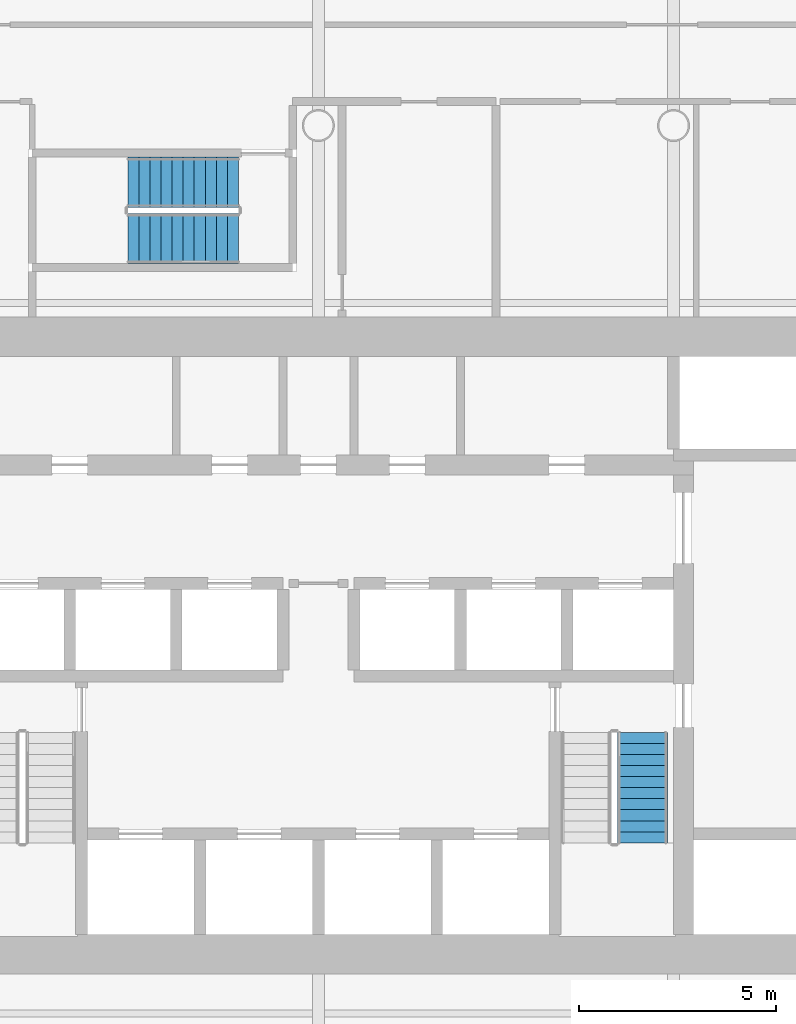
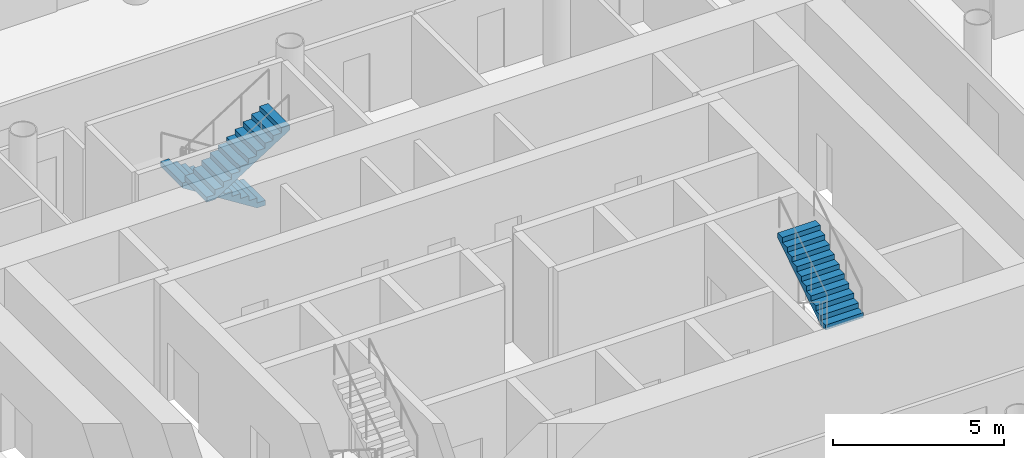
# One storey, part 14 of 19: 3 stair flights, 2 elements without a shape of their own.
"""IFC4 building model written with IfcOpenShell, lengths in metres."""

from ifc_helpers import new_model, si_unit, direction, frame, origin, place, context, subcontext, project, spatial, polyline, outline, extrude, material, type_object, element, aggregate, save


model = new_model("IFC4")

# Units and contexts
model_context = context("Model", 3, precision=1e-05, world=origin(), true_north=direction((0.0, 1.0)))
body_context = subcontext(model_context, "Body", "Model", "MODEL_VIEW")
ifc_project = project(units=[si_unit("LENGTHUNIT", "METRE"), si_unit("AREAUNIT", "SQUARE_METRE"), si_unit("VOLUMEUNIT", "CUBIC_METRE"), si_unit("PLANEANGLEUNIT", "RADIAN"), si_unit("MASSUNIT", "GRAM", prefix="KILO")], contexts=[model_context])

# Site, building, storey
site_placement = place(None, origin())
site = spatial("IfcSite", under=ifc_project, at=site_placement, CompositionType="ELEMENT")
building_placement = place(site_placement, origin())
building = spatial("IfcBuilding", under=site, at=building_placement, Name="Tskaro Facet Tower", CompositionType="ELEMENT")
storey_placement = place(building_placement, frame((0.0, 0.0, 93.300048828125)))
storey = spatial("IfcBuildingStorey", under=building, at=storey_placement, Name="L22", CompositionType="ELEMENT", Elevation=93.300048828125)

# Stair, stair flight
ifc_material = material(Name="Concrete C40/50", Category="concrete")
stair_type = type_object("IfcStairType", Name="ST-TWR", PredefinedType="HALF_TURN_STAIR", material=ifc_material)
stair_1_placement = place(storey_placement, origin())
stair_1 = element("IfcStair", 1, at=stair_1_placement, inside=storey, type_object=stair_type, Name="L22 Exit stair 2", PredefinedType="HALF_TURN_STAIR")
stair_flight_type = type_object("IfcStairFlightType", Name="SFL-RC", PredefinedType="STRAIGHT", material=ifc_material)
stair_flight_1_placement = place(storey_placement, frame((8.21240234375, -9.175048828125, 1.949951171875), z_axis=(0.0, 0.0, 1.0), x_axis=(0.0, 1.0, 0.0)))
stair_flight_1 = element("IfcStairFlight", 2, at=stair_flight_1_placement, type_object=stair_flight_type, Name="ST-2 flight 2", NumberOfRisers=11, NumberOfTreads=10, PredefinedType="STRAIGHT", RiserHeight=0.177272727, TreadLength=0.28, context=body_context, shape_type="SweptSolid", body=[
    extrude(outline(polyline([(0.0, 0.0), (0.0, 0.17724609375), (0.280029296875, 0.17724609375), (0.280029296875, 0.3544921875), (0.56005859375, 0.3544921875), (0.56005859375, 0.53173828125), (0.840087890625, 0.53173828125), (0.840087890625, 0.708984375), (1.1201171875, 0.708984375), (1.1201171875, 0.886474609375), (1.39990234375, 0.886474609375), (1.39990234375, 1.063720703125), (1.679931640625, 1.063720703125), (1.679931640625, 1.240966796875), (1.9599609375, 1.240966796875), (1.9599609375, 1.418212890625), (2.239990234375, 1.418212890625), (2.239990234375, 1.595458984375), (2.52001953125, 1.595458984375), (2.52001953125, 1.772705078125), (2.800048828125, 1.772705078125), (2.800048828125, 1.949951171875), (2.800048828125, 1.59521484375), (0.2802734375, 0.0), (0.0, 0.0)])), frame((0.0, 0.637451171875, 0.0), z_axis=(0.0, -1.0, 0.0), x_axis=(1.0, 0.0, 0.0)), (0.0, 0.0, 1.0), 1.27490234375),
])
aggregate(stair_1, [stair_flight_1])

# Stair, stair flights
stair_2_placement = place(storey_placement, origin())
stair_2 = element("IfcStair", 3, at=stair_2_placement, inside=storey, type_object=stair_type, Name="L22 Exit stair 3", PredefinedType="HALF_TURN_STAIR")
stair_flight_2_placement = place(storey_placement, frame((-2.02490234375, 7.5625, 0.0), z_axis=(0.0, 0.0, 1.0), x_axis=(-1.0, 0.0, 0.0)))
stair_flight_2 = element("IfcStairFlight", 4, at=stair_flight_2_placement, type_object=stair_flight_type, Name="ST-3 flight 1", NumberOfRisers=11, NumberOfTreads=10, PredefinedType="STRAIGHT", RiserHeight=0.177272727, TreadLength=0.28, context=body_context, shape_type="SweptSolid", body=[
    extrude(outline(polyline([(0.0, 0.0), (0.0, 0.17724609375), (0.280029296875, 0.17724609375), (0.280029296875, 0.3544921875), (0.56005859375, 0.3544921875), (0.56005859375, 0.53173828125), (0.840087890625, 0.53173828125), (0.840087890625, 0.708984375), (1.1201171875, 0.708984375), (1.1201171875, 0.886474609375), (1.39990234375, 0.886474609375), (1.39990234375, 1.063720703125), (1.679931640625, 1.063720703125), (1.679931640625, 1.240966796875), (1.9599609375, 1.240966796875), (1.9599609375, 1.418212890625), (2.239990234375, 1.418212890625), (2.239990234375, 1.595458984375), (2.52001953125, 1.595458984375), (2.52001953125, 1.772705078125), (2.800048828125, 1.772705078125), (2.800048828125, 1.949951171875), (2.800048828125, 1.59521484375), (0.2802734375, 0.0), (0.0, 0.0)])), frame((0.0, 0.637451171875, 0.0), z_axis=(0.0, -1.0, 0.0), x_axis=(1.0, 0.0, 0.0)), (0.0, 0.0, 1.0), 1.27490234375),
])
stair_flight_3_placement = place(storey_placement, frame((-4.824951171875, 6.137451171875, 1.949951171875), z_axis=(0.0, 0.0, 1.0), x_axis=(1.0, 0.0, 0.0)))
stair_flight_3 = element("IfcStairFlight", 5, at=stair_flight_3_placement, type_object=stair_flight_type, Name="ST-3 flight 2", NumberOfRisers=11, NumberOfTreads=10, PredefinedType="STRAIGHT", RiserHeight=0.177272727, TreadLength=0.28, context=body_context, shape_type="SweptSolid", body=[
    extrude(outline(polyline([(0.0, 0.0), (0.0, 0.17724609375), (0.280029296875, 0.17724609375), (0.280029296875, 0.3544921875), (0.56005859375, 0.3544921875), (0.56005859375, 0.53173828125), (0.840087890625, 0.53173828125), (0.840087890625, 0.708984375), (1.1201171875, 0.708984375), (1.1201171875, 0.886474609375), (1.39990234375, 0.886474609375), (1.39990234375, 1.063720703125), (1.679931640625, 1.063720703125), (1.679931640625, 1.240966796875), (1.9599609375, 1.240966796875), (1.9599609375, 1.418212890625), (2.239990234375, 1.418212890625), (2.239990234375, 1.595458984375), (2.52001953125, 1.595458984375), (2.52001953125, 1.772705078125), (2.800048828125, 1.772705078125), (2.800048828125, 1.949951171875), (2.800048828125, 1.59521484375), (0.2802734375, 0.0), (0.0, 0.0)])), frame((0.0, 0.637451171875, 0.0), z_axis=(0.0, -1.0, 0.0), x_axis=(1.0, 0.0, 0.0)), (0.0, 0.0, 1.0), 1.27490234375),
])
aggregate(stair_2, [stair_flight_2, stair_flight_3])

save(model, "model.ifc")
